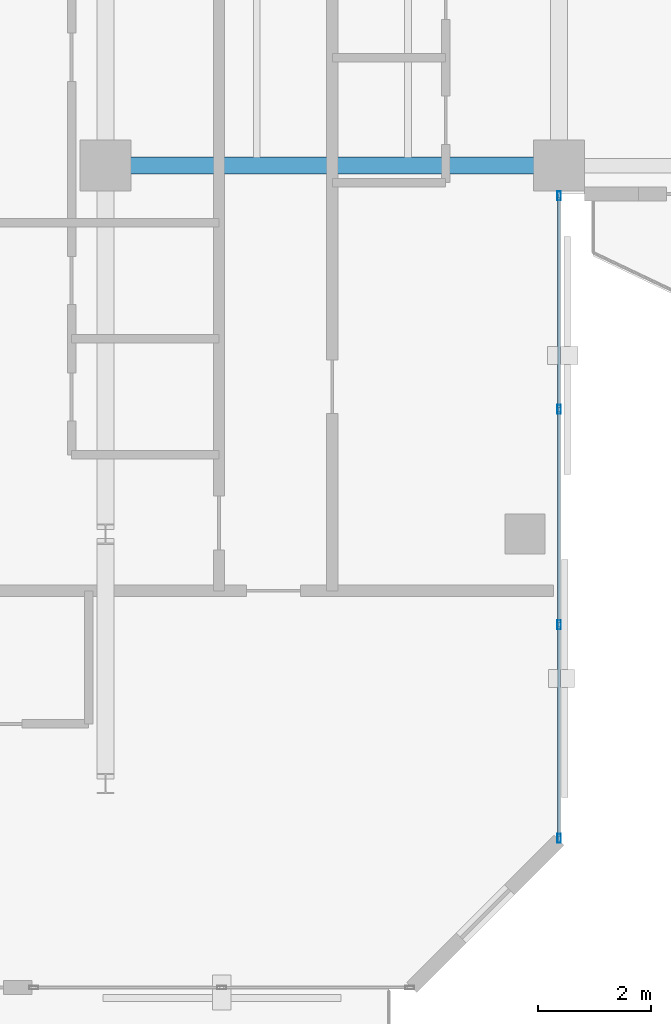
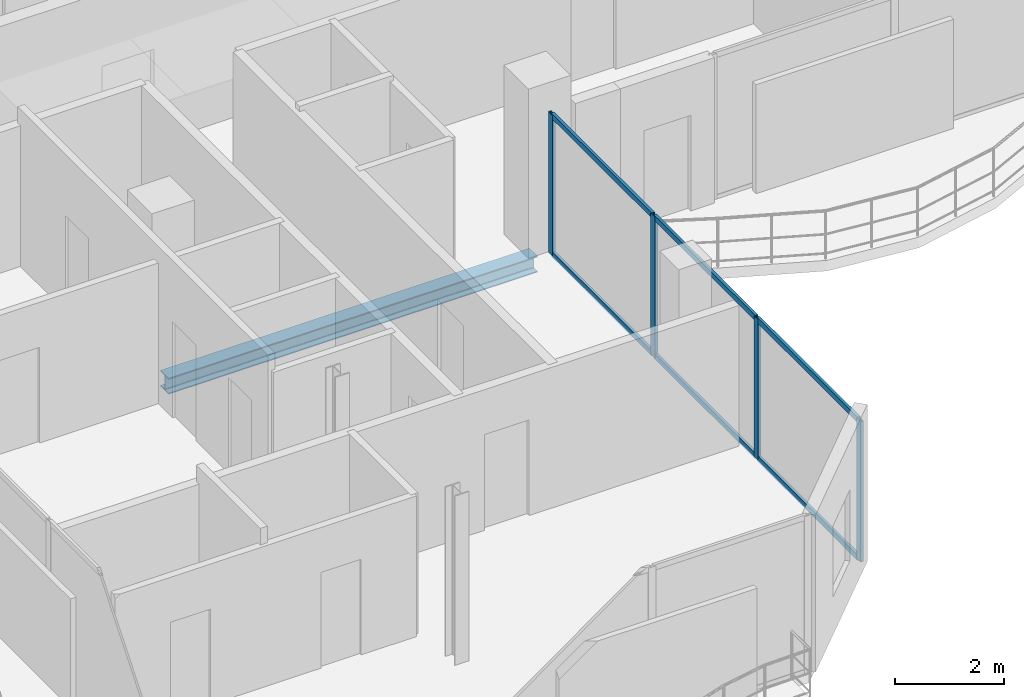
# One storey, part 4 of 17: 10 members, 1 beam, 1 element without a shape of its own.
"""IFC4 building model written with IfcOpenShell, lengths in metres."""

from ifc_helpers import new_model, si_unit, direction, frame, origin, origin_2d, place, context, subcontext, project, spatial, hollow_rectangle, i_section, extrude, material, layer, layer_set, material_profile, profile_set, type_object, element, aggregate, save


model = new_model("IFC4")

# Units and contexts
model_context = context("Model", 3, precision=1e-05, world=origin(), true_north=direction((0.0, 1.0)))
body_context = subcontext(model_context, "Body", "Model", "MODEL_VIEW")
ifc_project = project(units=[si_unit("LENGTHUNIT", "METRE"), si_unit("AREAUNIT", "SQUARE_METRE"), si_unit("VOLUMEUNIT", "CUBIC_METRE"), si_unit("PLANEANGLEUNIT", "RADIAN"), si_unit("MASSUNIT", "GRAM", prefix="KILO")], contexts=[model_context])

# Site, building, storey
site_placement = place(None, origin())
site = spatial("IfcSite", under=ifc_project, at=site_placement, CompositionType="ELEMENT")
building_placement = place(site_placement, origin())
building = spatial("IfcBuilding", under=site, at=building_placement, Name="Catumbela Crestline Tower", CompositionType="ELEMENT")
storey_placement = place(building_placement, frame((0.0, 0.0, 271.6)))
storey = spatial("IfcBuildingStorey", under=building, at=storey_placement, Name="L70", CompositionType="ELEMENT", Elevation=271.6)

# Beam
ifc_material_1 = material(Name="Structural steel S355J2", Category="steel")
ifc_material_profile_1 = material_profile(ifc_material_1, i_section(OverallWidth=0.3, OverallDepth=0.36, WebThickness=0.0125, FlangeThickness=0.0225, FilletRadius=0.027, at=origin_2d()), Name="HEB 360")
ifc_profile_set_1 = profile_set([ifc_material_profile_1], Name="Structural steel S355J2")
beam_type = type_object("IfcBeamType", Name="BG-HEB360", PredefinedType="BEAM", material=ifc_profile_set_1)
beam_placement = place(storey_placement, frame((16.08, 24.5, -0.44), z_axis=(1.0, 0.0, 0.0), x_axis=(0.0, 1.0, 0.0)))
element("IfcBeam", 1, at=beam_placement, inside=storey, type_object=beam_type, Name="L70 Beam BM-L70-S01", PredefinedType="BEAM", context=body_context, shape_type="SweptSolid", body=[
    extrude(i_section(OverallWidth=0.3, OverallDepth=0.36, WebThickness=0.0125, FlangeThickness=0.0225, FilletRadius=0.027, at=origin_2d()), origin(), (0.0, 0.0, 1.0), 7.84),
])

# Curtain wall, members
ifc_material_2 = material(Name="Aluminium alloy AW-6060-T66", Category="aluminium")
ifc_layer = layer(ifc_material_2, 0.18, Name="Aluminium alloy AW-6060-T66")
ifc_layer_set = layer_set([ifc_layer], Name="Aluminium alloy AW-6060-T66")
curtain_wall_type = type_object("IfcCurtainWallType", Name="CWU-Z4", PredefinedType="USERDEFINED", material=ifc_layer_set)
curtain_wall_placement = place(storey_placement, origin())
curtain_wall = element("IfcCurtainWall", 2, at=curtain_wall_placement, inside=storey, type_object=curtain_wall_type, Name="L70 Unitised Curtain Wall CW-L70-E2S1", ObjectType="UNITISED", PredefinedType="USERDEFINED")
ifc_material_profile_2 = material_profile(ifc_material_2, hollow_rectangle(XDim=0.06, YDim=0.16, WallThickness=0.004, at=origin_2d()), Name="ALU 160x60x4")
ifc_profile_set_2 = profile_set([ifc_material_profile_2], Name="Aluminium alloy AW-6060-T66")
member_type_1 = type_object("IfcMemberType", Name="MUL-160X60", PredefinedType="MULLION", material=ifc_profile_set_2)
member_1_placement = place(storey_placement, frame((24.0, 12.6325, 0.0), z_axis=(0.0, 0.0, 1.0), x_axis=(-1.0, 0.0, 0.0)))
member_1 = element("IfcMember", 3, at=member_1_placement, type_object=member_type_1, Name="CWU-Z4 mullion 1", PredefinedType="MULLION", context=body_context, shape_type="SweptSolid", body=[
    extrude(hollow_rectangle(XDim=0.06, YDim=0.16, WallThickness=0.004, at=origin_2d()), origin(), (0.0, 0.0, 1.0), 3.16),
])
member_2_placement = place(storey_placement, frame((24.0, 16.4, 0.0), z_axis=(0.0, 0.0, 1.0), x_axis=(-1.0, 0.0, 0.0)))
member_2 = element("IfcMember", 4, at=member_2_placement, type_object=member_type_1, Name="CWU-Z4 mullion 2", PredefinedType="MULLION", context=body_context, shape_type="SweptSolid", body=[
    extrude(hollow_rectangle(XDim=0.06, YDim=0.16, WallThickness=0.004, at=origin_2d()), origin(), (0.0, 0.0, 1.0), 3.16),
])
member_3_placement = place(storey_placement, frame((24.0, 20.2, 0.0), z_axis=(0.0, 0.0, 1.0), x_axis=(-1.0, 0.0, 0.0)))
member_3 = element("IfcMember", 5, at=member_3_placement, type_object=member_type_1, Name="CWU-Z4 mullion 3", PredefinedType="MULLION", context=body_context, shape_type="SweptSolid", body=[
    extrude(hollow_rectangle(XDim=0.06, YDim=0.16, WallThickness=0.004, at=origin_2d()), origin(), (0.0, 0.0, 1.0), 3.16),
])
member_4_placement = place(storey_placement, frame((24.0, 23.9675, 0.0), z_axis=(0.0, 0.0, 1.0), x_axis=(-1.0, 0.0, 0.0)))
member_4 = element("IfcMember", 6, at=member_4_placement, type_object=member_type_1, Name="CWU-Z4 mullion 4", PredefinedType="MULLION", context=body_context, shape_type="SweptSolid", body=[
    extrude(hollow_rectangle(XDim=0.06, YDim=0.16, WallThickness=0.004, at=origin_2d()), origin(), (0.0, 0.0, 1.0), 3.16),
])
ifc_material_profile_3 = material_profile(ifc_material_2, hollow_rectangle(XDim=0.06, YDim=0.12, WallThickness=0.0035, at=origin_2d()), Name="ALU 120x60x3.5")
ifc_profile_set_3 = profile_set([ifc_material_profile_3], Name="Aluminium alloy AW-6060-T66")
member_type_2 = type_object("IfcMemberType", Name="TRN-120X60", PredefinedType="USERDEFINED", material=ifc_profile_set_3)
member_5_placement = place(storey_placement, frame((24.0, 12.665, 0.03), z_axis=(0.0, 1.0, 0.0), x_axis=(-1.0, 0.0, 0.0)))
member_5 = element("IfcMember", 7, at=member_5_placement, type_object=member_type_2, Name="CWU-Z4 transom 1.1", ObjectType="TRANSOM", PredefinedType="USERDEFINED", context=body_context, shape_type="SweptSolid", body=[
    extrude(hollow_rectangle(XDim=0.06, YDim=0.12, WallThickness=0.0035, at=origin_2d()), origin(), (0.0, 0.0, 1.0), 3.7025),
])
member_6_placement = place(storey_placement, frame((24.0, 12.665, 3.13), z_axis=(0.0, 1.0, 0.0), x_axis=(-1.0, 0.0, 0.0)))
member_6 = element("IfcMember", 8, at=member_6_placement, type_object=member_type_2, Name="CWU-Z4 transom 1.2", ObjectType="TRANSOM", PredefinedType="USERDEFINED", context=body_context, shape_type="SweptSolid", body=[
    extrude(hollow_rectangle(XDim=0.06, YDim=0.12, WallThickness=0.0035, at=origin_2d()), origin(), (0.0, 0.0, 1.0), 3.7025),
])
member_7_placement = place(storey_placement, frame((24.0, 16.4325, 0.03), z_axis=(0.0, 1.0, 0.0), x_axis=(-1.0, 0.0, 0.0)))
member_7 = element("IfcMember", 9, at=member_7_placement, type_object=member_type_2, Name="CWU-Z4 transom 2.1", ObjectType="TRANSOM", PredefinedType="USERDEFINED", context=body_context, shape_type="SweptSolid", body=[
    extrude(hollow_rectangle(XDim=0.06, YDim=0.12, WallThickness=0.0035, at=origin_2d()), origin(), (0.0, 0.0, 1.0), 3.735),
])
member_8_placement = place(storey_placement, frame((24.0, 16.4325, 3.13), z_axis=(0.0, 1.0, 0.0), x_axis=(-1.0, 0.0, 0.0)))
member_8 = element("IfcMember", 10, at=member_8_placement, type_object=member_type_2, Name="CWU-Z4 transom 2.2", ObjectType="TRANSOM", PredefinedType="USERDEFINED", context=body_context, shape_type="SweptSolid", body=[
    extrude(hollow_rectangle(XDim=0.06, YDim=0.12, WallThickness=0.0035, at=origin_2d()), origin(), (0.0, 0.0, 1.0), 3.735),
])
member_9_placement = place(storey_placement, frame((24.0, 20.2325, 0.03), z_axis=(0.0, 1.0, 0.0), x_axis=(-1.0, 0.0, 0.0)))
member_9 = element("IfcMember", 11, at=member_9_placement, type_object=member_type_2, Name="CWU-Z4 transom 3.1", ObjectType="TRANSOM", PredefinedType="USERDEFINED", context=body_context, shape_type="SweptSolid", body=[
    extrude(hollow_rectangle(XDim=0.06, YDim=0.12, WallThickness=0.0035, at=origin_2d()), origin(), (0.0, 0.0, 1.0), 3.7025),
])
member_10_placement = place(storey_placement, frame((24.0, 20.2325, 3.13), z_axis=(0.0, 1.0, 0.0), x_axis=(-1.0, 0.0, 0.0)))
member_10 = element("IfcMember", 12, at=member_10_placement, type_object=member_type_2, Name="CWU-Z4 transom 3.2", ObjectType="TRANSOM", PredefinedType="USERDEFINED", context=body_context, shape_type="SweptSolid", body=[
    extrude(hollow_rectangle(XDim=0.06, YDim=0.12, WallThickness=0.0035, at=origin_2d()), origin(), (0.0, 0.0, 1.0), 3.7025),
])
aggregate(curtain_wall, [member_1, member_2, member_3, member_4, member_5, member_6, member_7, member_8, member_9, member_10])

save(model, "model.ifc")
